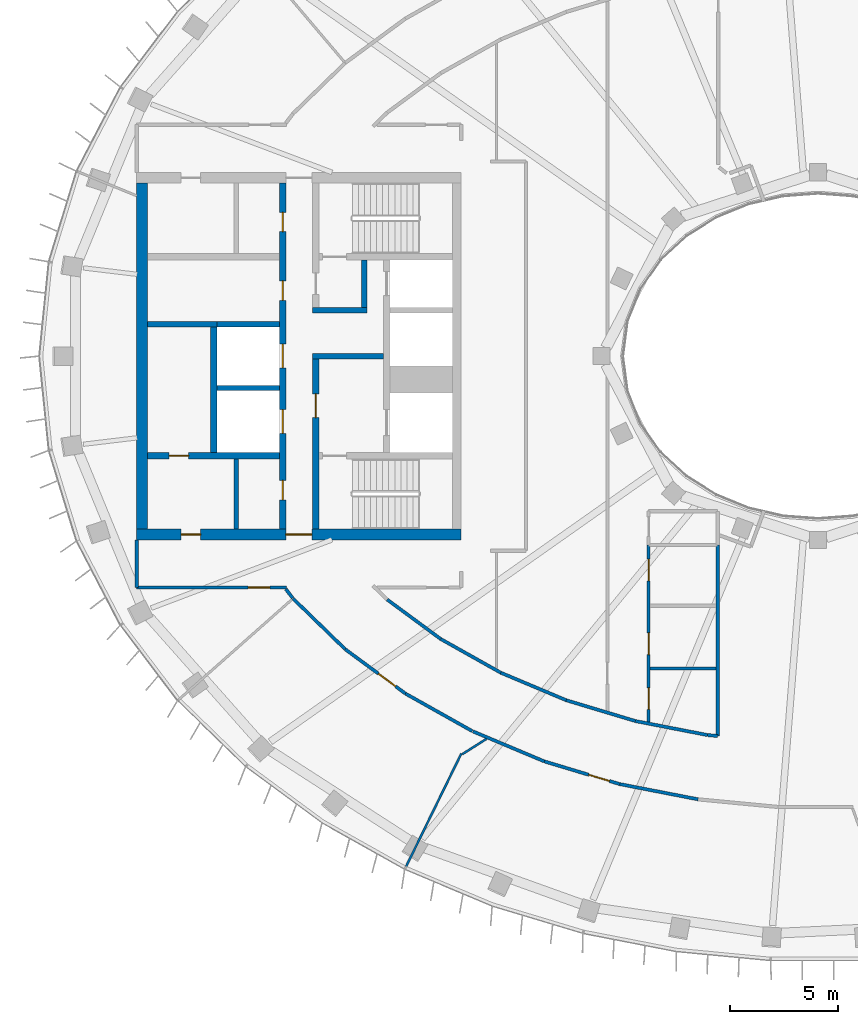
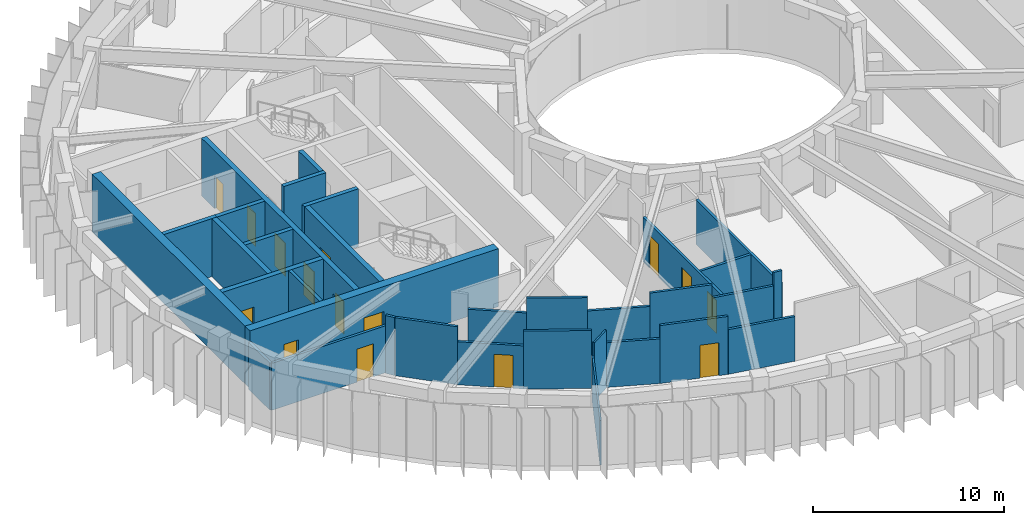
# One storey, part 3 of 13: 33 walls, 15 doors, 15 openings.
"""IFC4 building model written with IfcOpenShell, lengths in metres."""

from ifc_helpers import new_model, si_unit, direction, frame, frame_2d, origin, place, context, subcontext, project, spatial, rectangle, extrude, material, layer, layer_set, type_object, element, fill, save


model = new_model("IFC4")

# Units and contexts
model_context = context("Model", 3, precision=1e-05, world=origin(), true_north=direction((0.0, 1.0)))
body_context = subcontext(model_context, "Body", "Model", "MODEL_VIEW")
ifc_project = project(units=[si_unit("LENGTHUNIT", "METRE"), si_unit("AREAUNIT", "SQUARE_METRE"), si_unit("VOLUMEUNIT", "CUBIC_METRE"), si_unit("PLANEANGLEUNIT", "RADIAN"), si_unit("MASSUNIT", "GRAM", prefix="KILO")], contexts=[model_context])

# Site, building, storey
site_placement = place(None, origin())
site = spatial("IfcSite", under=ifc_project, at=site_placement, CompositionType="ELEMENT")
building_placement = place(site_placement, origin())
building = spatial("IfcBuilding", under=site, at=building_placement, Name="Noorbagh Ring Tower", CompositionType="ELEMENT")
storey_placement = place(building_placement, frame((0.0, 0.0, 327.0)))
storey = spatial("IfcBuildingStorey", under=building, at=storey_placement, Name="L71", CompositionType="ELEMENT", Elevation=327.0)

# Walls
ifc_material_1 = material(Name="Gypsum board on steel studs", Category="steel")
ifc_layer_1 = layer(ifc_material_1, 0.199951171875)
ifc_layer_set_1 = layer_set([ifc_layer_1], Name="Gypsum board on steel studs")
wall_type_1 = type_object("IfcWallType", Name="CORE-PARTITION-200", PredefinedType="PARTITIONING", material=ifc_layer_set_1)
wall_1_placement = place(storey_placement, frame((-26.89990234375, -8.0, 0.0), z_axis=(0.0, 0.0, 1.0), x_axis=(0.0, 1.0, 0.0)))
element("IfcWall", 1, at=wall_1_placement, inside=storey, type_object=wall_type_1, Name="Core partition W", PredefinedType="PARTITIONING", context=body_context, shape_type="SweptSolid", body=[
    extrude(rectangle(XDim=3.25, YDim=0.199951171875, at=frame_2d((1.625, 0.0))), origin(), (0.0, 0.0, 1.0), 3.699951171875),
])
ifc_material_2 = material(Name="Concrete C50/60", Category="concrete")
ifc_layer_2 = layer(ifc_material_2, 0.25)
ifc_layer_set_2 = layer_set([ifc_layer_2], Name="Concrete C50/60")
wall_type_2 = type_object("IfcWallType", Name="CORE-WALL-250-C50-60-EI120", PredefinedType="SHEAR", material=ifc_layer_set_2)
wall_2_placement = place(storey_placement, frame((-27.800048828125, 1.47509765625, 0.0), z_axis=(0.0, 0.0, 1.0), x_axis=(-1.0, 0.0, 0.0)))
element("IfcWall", 2, at=wall_2_placement, inside=storey, type_object=wall_type_2, Name="Core wall W", PredefinedType="SHEAR", context=body_context, shape_type="SweptSolid", body=[
    extrude(rectangle(XDim=3.199951171875, YDim=0.25, at=frame_2d((1.60009765625, 0.0))), origin(), (0.0, 0.0, 1.0), 3.699951171875),
])
for number, where, z_axis, x_axis, name in (
    (3, (-24.89990234375, -1.47509765625, 0.0), (0.0, 0.0, 1.0), (-1.0, 0.0, 0.0), "Core wall W"),
    (4, (-24.89990234375, 1.47509765625, 0.0), (0.0, 0.0, 1.0), (-1.0, 0.0, 0.0), "Core wall W"),
):
    element("IfcWall", number, at=place(storey_placement, frame(where, z_axis=z_axis, x_axis=x_axis)), inside=storey, type_object=wall_type_2, Name=name, PredefinedType="SHEAR", context=body_context, shape_type="SweptSolid", body=[
        extrude(rectangle(XDim=2.900146484375, YDim=0.25, at=frame_2d((1.4501953125, 0.0))), origin(), (0.0, 0.0, 1.0), 3.699951171875),
    ])
ifc_material_3 = material(Name="Concrete C50/60", Category="concrete")
ifc_layer_3 = layer(ifc_material_3, 0.25)
ifc_layer_set_3 = layer_set([ifc_layer_3], Name="Concrete C50/60")
wall_type_3 = type_object("IfcWallType", Name="CORE-WALL-250-C50-60-EI240", PredefinedType="SHEAR", material=ifc_layer_set_3)
wall_3_placement = place(storey_placement, frame((-20.10009765625, 0.0, 0.0), z_axis=(0.0, 0.0, 1.0), x_axis=(-1.0, 0.0, 0.0)))
element("IfcWall", 5, at=wall_3_placement, inside=storey, type_object=wall_type_3, Name="Core wall W", PredefinedType="SHEAR", context=body_context, shape_type="SweptSolid", body=[
    extrude(rectangle(XDim=3.27978515625, YDim=0.25, at=frame_2d((1.639892578125, 0.0))), origin(), (0.0, 0.0, 1.0), 3.699951171875),
])
wall_4_placement = place(storey_placement, frame((-20.85009765625, 2.125, 0.0), z_axis=(0.0, 0.0, 1.0), x_axis=(-1.0, 0.0, 0.0)))
element("IfcWall", 6, at=wall_4_placement, inside=storey, type_object=wall_type_3, Name="Core wall W", PredefinedType="SHEAR", context=body_context, shape_type="SweptSolid", body=[
    extrude(rectangle(XDim=2.52978515625, YDim=0.25, at=frame_2d((1.264892578125, 0.0))), origin(), (0.0, 0.0, 1.0), 3.699951171875),
])
wall_5_placement = place(storey_placement, frame((-20.97509765625, 2.25, 0.0), z_axis=(0.0, 0.0, 1.0), x_axis=(0.0, 1.0, 0.0)))
element("IfcWall", 7, at=wall_5_placement, inside=storey, type_object=wall_type_3, Name="Core wall W", PredefinedType="SHEAR", context=body_context, shape_type="SweptSolid", body=[
    extrude(rectangle(XDim=2.199951171875, YDim=0.25, at=frame_2d((1.10009765625, 0.0))), origin(), (0.0, 0.0, 1.0), 3.699951171875),
])
ifc_material_4 = material(Name="Concrete C50/60", Category="concrete")
ifc_layer_4 = layer(ifc_material_4, 0.300048828125)
ifc_layer_set_4 = layer_set([ifc_layer_4], Name="Concrete C50/60")
wall_type_4 = type_object("IfcWallType", Name="CORE-WALL-300-C50-60-EI120", PredefinedType="SHEAR", material=ifc_layer_set_4)
wall_6_placement = place(storey_placement, frame((-27.949951171875, -4.449951171875, 0.0), z_axis=(0.0, 0.0, 1.0), x_axis=(0.0, 1.0, 0.0)))
element("IfcWall", 8, at=wall_6_placement, inside=storey, type_object=wall_type_4, Name="Core wall W", PredefinedType="SHEAR", context=body_context, shape_type="SweptSolid", body=[
    extrude(rectangle(XDim=5.800048828125, YDim=0.300048828125, at=frame_2d((2.89990234375, 0.0))), origin(), (0.0, 0.0, 1.0), 3.699951171875),
])

# Wall, openings, doors
wall_7_placement = place(storey_placement, frame((-24.75, -8.0, 0.0), z_axis=(0.0, 0.0, 1.0), x_axis=(0.0, 1.0, 0.0)))
wall_7 = element("IfcWall", 9, at=wall_7_placement, inside=storey, type_object=wall_type_4, Name="Core wall W", PredefinedType="SHEAR", context=body_context, shape_type="SweptSolid", body=[
    extrude(rectangle(XDim=16.0, YDim=0.300048828125, at=frame_2d((8.0, 0.0))), origin(), (0.0, 0.0, 1.0), 3.699951171875),
])
opening_1_placement = place(wall_7_placement, frame((4.425048828125, 0.0, 0.0)))
opening_1 = element("IfcOpeningElement", 10, at=opening_1_placement, cuts=wall_7, Name="Opening L71-CW03", PredefinedType="OPENING", context=body_context, shape_type="SweptSolid", body=[
    extrude(rectangle(XDim=1.10009765625, YDim=2.10009765625, at=frame_2d((0.550048828125, 1.050048828125))), frame((0.0, 0.16015625, 0.0), z_axis=(0.0, -1.0, 0.0), x_axis=(1.0, 0.0, 0.0)), (0.0, 0.0, 1.0), 0.320068359375),
])
opening_2_placement = place(wall_7_placement, frame((7.449951171875, 0.0, 0.0)))
opening_2 = element("IfcOpeningElement", 11, at=opening_2_placement, cuts=wall_7, Name="Opening L71-CW04", PredefinedType="OPENING", context=body_context, shape_type="SweptSolid", body=[
    extrude(rectangle(XDim=1.10009765625, YDim=2.10009765625, at=frame_2d((0.550048828125, 1.050048828125))), frame((0.0, 0.16015625, 0.0), z_axis=(0.0, -1.0, 0.0), x_axis=(1.0, 0.0, 0.0)), (0.0, 0.0, 1.0), 0.320068359375),
])
opening_3_placement = place(wall_7_placement, frame((10.574951171875, 0.0, 0.0)))
opening_3 = element("IfcOpeningElement", 12, at=opening_3_placement, cuts=wall_7, Name="Opening L71-CW11", PredefinedType="OPENING", context=body_context, shape_type="SweptSolid", body=[
    extrude(rectangle(XDim=0.89990234375, YDim=2.10009765625, at=frame_2d((0.449951171875, 1.050048828125))), frame((0.0, 0.16015625, 0.0), z_axis=(0.0, -1.0, 0.0), x_axis=(1.0, 0.0, 0.0)), (0.0, 0.0, 1.0), 0.320068359375),
])
opening_4_placement = place(wall_7_placement, frame((13.75, 0.0, 0.0)))
opening_4 = element("IfcOpeningElement", 13, at=opening_4_placement, cuts=wall_7, Name="Opening L71-CW12", PredefinedType="OPENING", context=body_context, shape_type="SweptSolid", body=[
    extrude(rectangle(XDim=0.89990234375, YDim=2.10009765625, at=frame_2d((0.449951171875, 1.050048828125))), frame((0.0, 0.16015625, 0.0), z_axis=(0.0, -1.0, 0.0), x_axis=(1.0, 0.0, 0.0)), (0.0, 0.0, 1.0), 0.320068359375),
])
opening_5_placement = place(wall_7_placement, frame((1.35009765625, 0.0, 0.0)))
opening_5 = element("IfcOpeningElement", 14, at=opening_5_placement, cuts=wall_7, Name="Opening L71-CW14", PredefinedType="OPENING", context=body_context, shape_type="SweptSolid", body=[
    extrude(rectangle(XDim=0.89990234375, YDim=2.10009765625, at=frame_2d((0.449951171875, 1.050048828125))), frame((0.0, 0.16015625, 0.0), z_axis=(0.0, -1.0, 0.0), x_axis=(1.0, 0.0, 0.0)), (0.0, 0.0, 1.0), 0.320068359375),
])
ifc_material_5 = material(Name="Steel door leaf", Category="steel")
door_type_1 = type_object("IfcDoorType", Name="CORE-DOOR-DROOM", OperationType="SINGLE_SWING_LEFT", PredefinedType="DOOR", material=ifc_material_5)
door_1_placement = place(opening_3_placement, origin())
door_1 = element("IfcDoor", 15, at=door_1_placement, inside=storey, type_object=door_type_1, Name="Core room door L71-CW11", OperationType="SINGLE_SWING_RIGHT", OverallHeight=2.10009765625, OverallWidth=0.89990234375, PredefinedType="DOOR", context=body_context, shape_type="SweptSolid", body=[
    extrude(rectangle(XDim=0.89990234375, YDim=2.10009765625, at=frame_2d((0.449951171875, 1.050048828125))), frame((0.0, 0.02490234375, 0.0), z_axis=(0.0, -1.0, 0.0), x_axis=(1.0, 0.0, 0.0)), (0.0, 0.0, 1.0), 0.050048828125),
])
fill(opening_3, door_1)
door_2_placement = place(opening_4_placement, origin())
door_2 = element("IfcDoor", 16, at=door_2_placement, inside=storey, type_object=door_type_1, Name="Core room door L71-CW12", OperationType="SINGLE_SWING_RIGHT", OverallHeight=2.10009765625, OverallWidth=0.89990234375, PredefinedType="DOOR", context=body_context, shape_type="SweptSolid", body=[
    extrude(rectangle(XDim=0.89990234375, YDim=2.10009765625, at=frame_2d((0.449951171875, 1.050048828125))), frame((0.0, 0.02490234375, 0.0), z_axis=(0.0, -1.0, 0.0), x_axis=(1.0, 0.0, 0.0)), (0.0, 0.0, 1.0), 0.050048828125),
])
fill(opening_4, door_2)
door_3_placement = place(opening_5_placement, origin())
door_3 = element("IfcDoor", 17, at=door_3_placement, inside=storey, type_object=door_type_1, Name="Core room door L71-CW14", OperationType="SINGLE_SWING_LEFT", OverallHeight=2.10009765625, OverallWidth=0.89990234375, PredefinedType="DOOR", context=body_context, shape_type="SweptSolid", body=[
    extrude(rectangle(XDim=0.89990234375, YDim=2.10009765625, at=frame_2d((0.449951171875, 1.050048828125))), frame((0.0, 0.02490234375, 0.0), z_axis=(0.0, -1.0, 0.0), x_axis=(1.0, 0.0, 0.0)), (0.0, 0.0, 1.0), 0.050048828125),
])
fill(opening_5, door_3)
ifc_material_6 = material(Name="Steel door leaf", Category="steel")
door_type_2 = type_object("IfcDoorType", Name="CORE-DOOR-LD", OperationType="DOUBLE_DOOR_SLIDING", PredefinedType="DOOR", material=ifc_material_6)
door_4_placement = place(opening_1_placement, origin())
door_4 = element("IfcDoor", 18, at=door_4_placement, inside=storey, type_object=door_type_2, Name="Landing door HR5 L71-CW03", OperationType="DOUBLE_DOOR_SLIDING", OverallHeight=2.10009765625, OverallWidth=1.10009765625, PredefinedType="DOOR", context=body_context, shape_type="SweptSolid", body=[
    extrude(rectangle(XDim=1.10009765625, YDim=2.10009765625, at=frame_2d((0.550048828125, 1.050048828125))), frame((0.0, 0.02490234375, 0.0), z_axis=(0.0, -1.0, 0.0), x_axis=(1.0, 0.0, 0.0)), (0.0, 0.0, 1.0), 0.050048828125),
])
fill(opening_1, door_4)
door_5_placement = place(opening_2_placement, origin())
door_5 = element("IfcDoor", 19, at=door_5_placement, inside=storey, type_object=door_type_2, Name="Landing door HR6 L71-CW04", OperationType="DOUBLE_DOOR_SLIDING", OverallHeight=2.10009765625, OverallWidth=1.10009765625, PredefinedType="DOOR", context=body_context, shape_type="SweptSolid", body=[
    extrude(rectangle(XDim=1.10009765625, YDim=2.10009765625, at=frame_2d((0.550048828125, 1.050048828125))), frame((0.0, 0.02490234375, 0.0), z_axis=(0.0, -1.0, 0.0), x_axis=(1.0, 0.0, 0.0)), (0.0, 0.0, 1.0), 0.050048828125),
])
fill(opening_2, door_5)

# Wall, opening, door
ifc_material_7 = material(Name="Concrete C50/60", Category="concrete")
ifc_layer_5 = layer(ifc_material_7, 0.300048828125)
ifc_layer_set_5 = layer_set([ifc_layer_5], Name="Concrete C50/60")
wall_type_5 = type_object("IfcWallType", Name="CORE-WALL-300-C50-60-EI240", PredefinedType="SHEAR", material=ifc_layer_set_5)
wall_8_placement = place(storey_placement, frame((-24.89990234375, -4.60009765625, 0.0), z_axis=(0.0, 0.0, 1.0), x_axis=(-1.0, 0.0, 0.0)))
wall_8 = element("IfcWall", 20, at=wall_8_placement, inside=storey, type_object=wall_type_5, Name="Core wall W", PredefinedType="SHEAR", context=body_context, shape_type="SweptSolid", body=[
    extrude(rectangle(XDim=6.10009765625, YDim=0.300048828125, at=frame_2d((3.050048828125, 0.0))), origin(), (0.0, 0.0, 1.0), 3.699951171875),
])
opening_6_placement = place(wall_8_placement, frame((4.199951171875, 0.0, 0.0)))
opening_6 = element("IfcOpeningElement", 21, at=opening_6_placement, cuts=wall_8, Name="Opening L71-CW16", PredefinedType="OPENING", context=body_context, shape_type="SweptSolid", body=[
    extrude(rectangle(XDim=0.89990234375, YDim=2.10009765625, at=frame_2d((0.449951171875, 1.050048828125))), frame((0.0, 0.16015625, 0.0), z_axis=(0.0, -1.0, 0.0), x_axis=(1.0, 0.0, 0.0)), (0.0, 0.0, 1.0), 0.320068359375),
])
door_6_placement = place(opening_6_placement, origin())
door_6 = element("IfcDoor", 22, at=door_6_placement, inside=storey, type_object=door_type_1, Name="Core room door L71-CW16", OperationType="SINGLE_SWING_RIGHT", OverallHeight=2.10009765625, OverallWidth=0.89990234375, PredefinedType="DOOR", context=body_context, shape_type="SweptSolid", body=[
    extrude(rectangle(XDim=0.89990234375, YDim=2.10009765625, at=frame_2d((0.449951171875, 1.050048828125))), frame((0.0, 0.02490234375, 0.0), z_axis=(0.0, -1.0, 0.0), x_axis=(1.0, 0.0, 0.0)), (0.0, 0.0, 1.0), 0.050048828125),
])
fill(opening_6, door_6)

wall_9_placement = place(storey_placement, frame((-23.22998046875, -8.0, 0.0), z_axis=(0.0, 0.0, 1.0), x_axis=(0.0, 1.0, 0.0)))
wall_9 = element("IfcWall", 23, at=wall_9_placement, inside=storey, type_object=wall_type_5, Name="Core wall W", PredefinedType="SHEAR", context=body_context, shape_type="SweptSolid", body=[
    extrude(rectangle(XDim=7.875, YDim=0.300048828125, at=frame_2d((3.9375, 0.0))), origin(), (0.0, 0.0, 1.0), 3.699951171875),
])
opening_7_placement = place(wall_9_placement, frame((5.14990234375, 0.0, 0.0)))
opening_7 = element("IfcOpeningElement", 24, at=opening_7_placement, cuts=wall_9, Name="Opening L71-CW07", PredefinedType="OPENING", context=body_context, shape_type="SweptSolid", body=[
    extrude(rectangle(XDim=1.10009765625, YDim=2.10009765625, at=frame_2d((0.550048828125, 1.050048828125))), frame((0.0, 0.16015625, 0.0), z_axis=(0.0, -1.0, 0.0), x_axis=(1.0, 0.0, 0.0)), (0.0, 0.0, 1.0), 0.320068359375),
])
ifc_material_8 = material(Name="Steel door leaf", Category="steel")
door_type_3 = type_object("IfcDoorType", Name="CORE-DOOR-DFF", OperationType="SINGLE_SWING_LEFT", PredefinedType="DOOR", material=ifc_material_8)
door_7_placement = place(opening_7_placement, origin())
door_7 = element("IfcDoor", 25, at=door_7_placement, inside=storey, type_object=door_type_3, Name="Firefighting lobby door L71-CW07", OperationType="SINGLE_SWING_LEFT", OverallHeight=2.10009765625, OverallWidth=1.10009765625, PredefinedType="DOOR", context=body_context, shape_type="SweptSolid", body=[
    extrude(rectangle(XDim=1.10009765625, YDim=2.10009765625, at=frame_2d((0.550048828125, 1.050048828125))), frame((0.0, 0.02490234375, 0.0), z_axis=(0.0, -1.0, 0.0), x_axis=(1.0, 0.0, 0.0)), (0.0, 0.0, 1.0), 0.050048828125),
])
fill(opening_7, door_7)

# Wall, openings, doors
ifc_material_9 = material(Name="Concrete C50/60", Category="concrete")
ifc_layer_6 = layer(ifc_material_9, 0.5)
ifc_layer_set_6 = layer_set([ifc_layer_6], Name="Concrete C50/60")
wall_type_6 = type_object("IfcWallType", Name="CORE-WALL-500-C50-60-EI240", PredefinedType="SHEAR", material=ifc_layer_set_6)
wall_10_placement = place(storey_placement, frame((-16.5, -8.25, 0.0), z_axis=(0.0, 0.0, 1.0), x_axis=(-1.0, 0.0, 0.0)))
wall_10 = element("IfcWall", 26, at=wall_10_placement, inside=storey, type_object=wall_type_6, Name="Core wall W", PredefinedType="SHEAR", context=body_context, shape_type="SweptSolid", body=[
    extrude(rectangle(XDim=15.0, YDim=0.5, at=frame_2d((7.5, 0.0))), origin(), (0.0, 0.0, 1.0), 3.699951171875),
])
opening_8_placement = place(wall_10_placement, frame((6.89990234375, 0.0, 0.0)))
opening_8 = element("IfcOpeningElement", 27, at=opening_8_placement, cuts=wall_10, Name="Opening L71-CW10", PredefinedType="OPENING", context=body_context, shape_type="SweptSolid", body=[
    extrude(rectangle(XDim=1.199951171875, YDim=2.10009765625, at=frame_2d((0.60009765625, 1.050048828125))), frame((0.0, 0.260009765625, 0.0), z_axis=(0.0, -1.0, 0.0), x_axis=(1.0, 0.0, 0.0)), (0.0, 0.0, 1.0), 0.52001953125),
])
opening_9_placement = place(wall_10_placement, frame((12.050048828125, 0.0, 0.0)))
opening_9 = element("IfcOpeningElement", 28, at=opening_9_placement, cuts=wall_10, Name="Opening L71-CW15", PredefinedType="OPENING", context=body_context, shape_type="SweptSolid", body=[
    extrude(rectangle(XDim=0.89990234375, YDim=2.10009765625, at=frame_2d((0.449951171875, 1.050048828125))), frame((0.0, 0.260009765625, 0.0), z_axis=(0.0, -1.0, 0.0), x_axis=(1.0, 0.0, 0.0)), (0.0, 0.0, 1.0), 0.52001953125),
])
door_8_placement = place(opening_9_placement, origin())
door_8 = element("IfcDoor", 29, at=door_8_placement, inside=storey, type_object=door_type_1, Name="Core room door L71-CW15", OperationType="SINGLE_SWING_LEFT", OverallHeight=2.10009765625, OverallWidth=0.89990234375, PredefinedType="DOOR", context=body_context, shape_type="SweptSolid", body=[
    extrude(rectangle(XDim=0.89990234375, YDim=2.10009765625, at=frame_2d((0.449951171875, 1.050048828125))), frame((0.0, 0.02490234375, 0.0), z_axis=(0.0, -1.0, 0.0), x_axis=(1.0, 0.0, 0.0)), (0.0, 0.0, 1.0), 0.050048828125),
])
fill(opening_9, door_8)
ifc_material_10 = material(Name="Steel door leaf", Category="steel")
door_type_4 = type_object("IfcDoorType", Name="CORE-DOOR-PORT", OperationType="DOUBLE_DOOR_DOUBLE_SWING", PredefinedType="DOOR", material=ifc_material_10)
door_9_placement = place(opening_8_placement, origin())
door_9 = element("IfcDoor", 30, at=door_9_placement, inside=storey, type_object=door_type_4, Name="Core entrance door L71-CW10", OperationType="DOUBLE_DOOR_DOUBLE_SWING", OverallHeight=2.10009765625, OverallWidth=1.199951171875, PredefinedType="DOOR", context=body_context, shape_type="SweptSolid", body=[
    extrude(rectangle(XDim=1.199951171875, YDim=2.10009765625, at=frame_2d((0.60009765625, 1.050048828125))), frame((0.0, 0.02490234375, 0.0), z_axis=(0.0, -1.0, 0.0), x_axis=(1.0, 0.0, 0.0)), (0.0, 0.0, 1.0), 0.050048828125),
])
fill(opening_8, door_9)

# Walls
wall_11_placement = place(storey_placement, frame((-31.25, -8.0, 0.0), z_axis=(0.0, 0.0, 1.0), x_axis=(0.0, 1.0, 0.0)))
element("IfcWall", 31, at=wall_11_placement, inside=storey, type_object=wall_type_6, Name="Core wall W", PredefinedType="SHEAR", context=body_context, shape_type="SweptSolid", body=[
    extrude(rectangle(XDim=16.0, YDim=0.5, at=frame_2d((8.0, 0.0))), origin(), (0.0, 0.0, 1.0), 3.699951171875),
])
ifc_material_11 = material(Name="Gypsum board on steel studs", Category="steel")
ifc_layer_7 = layer(ifc_material_11, 0.14990234375)
ifc_layer_set_7 = layer_set([ifc_layer_7], Name="Gypsum board on steel studs")
wall_type_7 = type_object("IfcWallType", Name="CORRIDOR PARTITION 150 EI 30", PredefinedType="PARTITIONING", material=ifc_layer_set_7)
wall_12_placement = place(storey_placement, frame((-31.5, -10.699951171875, 0.0), z_axis=(0.0, 0.0, 1.0), x_axis=(0.0, 1.0, 0.0)))
element("IfcWall", 32, at=wall_12_placement, inside=storey, type_object=wall_type_7, Name="L71/wall/P02", PredefinedType="PARTITIONING", context=body_context, shape_type="SweptSolid", body=[
    extrude(rectangle(XDim=2.199951171875, YDim=0.14990234375, at=frame_2d((1.10009765625, 0.0))), origin(), (0.0, 0.0, 1.0), 3.0),
])

# Wall, opening, door
wall_13_placement = place(storey_placement, frame((-31.5, -10.699951171875, 0.0), z_axis=(0.0, 0.0, 1.0), x_axis=(1.0, 0.0, 0.0)))
wall_13 = element("IfcWall", 33, at=wall_13_placement, inside=storey, type_object=wall_type_7, Name="L71/wall/P03", PredefinedType="PARTITIONING", context=body_context, shape_type="SweptSolid", body=[
    extrude(rectangle(XDim=6.93310546875, YDim=0.14990234375, at=frame_2d((3.466552734375, 0.0))), origin(), (0.0, 0.0, 1.0), 3.0),
])
opening_10_placement = place(wall_13_placement, frame((5.14990234375, 0.0, 0.0)))
opening_10 = element("IfcOpeningElement", 34, at=opening_10_placement, cuts=wall_13, Name="Opening D1", PredefinedType="OPENING", context=body_context, shape_type="SweptSolid", body=[
    extrude(rectangle(XDim=1.0, YDim=2.10009765625, at=frame_2d((0.5, 1.050048828125))), frame((0.0, 0.0849609375, 0.0), z_axis=(0.0, -1.0, 0.0), x_axis=(1.0, 0.0, 0.0)), (0.0, 0.0, 1.0), 0.169921875),
])
ifc_material_12 = material(Name="Timber, painted", Category="wood")
door_type_5 = type_object("IfcDoorType", Name="DOOR 1000 X 2100 FD30", OperationType="SINGLE_SWING_LEFT", PredefinedType="DOOR", material=ifc_material_12)
door_10_placement = place(opening_10_placement, origin())
door_10 = element("IfcDoor", 35, at=door_10_placement, inside=storey, type_object=door_type_5, Name="L71-D06", OperationType="SINGLE_SWING_RIGHT", OverallHeight=2.10009765625, OverallWidth=1.0, PredefinedType="DOOR", context=body_context, shape_type="SweptSolid", body=[
    extrude(rectangle(XDim=1.0, YDim=2.10009765625, at=frame_2d((0.5, 1.050048828125))), frame((0.0, 0.02490234375, 0.0), z_axis=(0.0, -1.0, 0.0), x_axis=(1.0, 0.0, 0.0)), (0.0, 0.0, 1.0), 0.050048828125),
])
fill(opening_10, door_10)

# Walls
wall_14_placement = place(storey_placement, frame((-24.60400390625, -10.77490234375, 0.0), z_axis=(0.0, 0.0, 1.0), x_axis=(0.603625762935, -0.797267795864, 0.0)))
element("IfcWall", 36, at=wall_14_placement, inside=storey, type_object=wall_type_7, Name="L71/wall/P08", PredefinedType="PARTITIONING", context=body_context, shape_type="SweptSolid", body=[
    extrude(rectangle(XDim=0.527099609375, YDim=0.14990234375, at=frame_2d((0.263671875, 0.0))), origin(), (0.0, 0.0, 1.0), 3.699951171875),
])
wall_15_placement = place(storey_placement, frame((-24.27392578125, -11.2109375, 0.0), z_axis=(0.0, 0.0, 1.0), x_axis=(0.71712899883, -0.696940455876, 0.0)))
element("IfcWall", 37, at=wall_15_placement, inside=storey, type_object=wall_type_7, Name="L71/wall/P10", PredefinedType="PARTITIONING", context=body_context, shape_type="SweptSolid", body=[
    extrude(rectangle(XDim=3.36181640625, YDim=0.14990234375, at=frame_2d((1.680908203125, 0.0))), origin(), (0.0, 0.0, 1.0), 3.699951171875),
])

# Wall, opening, door
wall_16_placement = place(storey_placement, frame((-21.863037109375, -13.553955078125, 0.0), z_axis=(0.0, 0.0, 1.0), x_axis=(0.805248975221, -0.59293683298, 0.0)))
wall_16 = element("IfcWall", 38, at=wall_16_placement, inside=storey, type_object=wall_type_7, Name="L71/wall/P12", PredefinedType="PARTITIONING", context=body_context, shape_type="SweptSolid", body=[
    extrude(rectangle(XDim=3.46240234375, YDim=0.14990234375, at=frame_2d((1.731201171875, 0.0))), origin(), (0.0, 0.0, 1.0), 2.75),
])
opening_11_placement = place(wall_16_placement, frame((1.89990234375, 0.0, 0.0)))
opening_11 = element("IfcOpeningElement", 39, at=opening_11_placement, cuts=wall_16, Name="Opening D1", PredefinedType="OPENING", context=body_context, shape_type="SweptSolid", body=[
    extrude(rectangle(XDim=1.0, YDim=2.10009765625, at=frame_2d((0.5, 1.050048828125))), frame((0.0, 0.0849609375, 0.0), z_axis=(0.0, -1.0, 0.0), x_axis=(1.0, 0.0, 0.0)), (0.0, 0.0, 1.0), 0.169921875),
])
door_11_placement = place(opening_11_placement, origin())
door_11 = element("IfcDoor", 40, at=door_11_placement, inside=storey, type_object=door_type_5, Name="L71-D08", OperationType="SINGLE_SWING_RIGHT", OverallHeight=2.10009765625, OverallWidth=1.0, PredefinedType="DOOR", context=body_context, shape_type="SweptSolid", body=[
    extrude(rectangle(XDim=1.0, YDim=2.10009765625, at=frame_2d((0.5, 1.050048828125))), frame((0.0, 0.02490234375, 0.0), z_axis=(0.0, -1.0, 0.0), x_axis=(1.0, 0.0, 0.0)), (0.0, 0.0, 1.0), 0.050048828125),
])
fill(opening_11, door_11)

# Walls
wall_17_placement = place(storey_placement, frame((-19.9189453125, -11.260009765625, 0.0), z_axis=(0.0, 0.0, 1.0), x_axis=(0.805185638843, -0.593022838516, 0.0)))
element("IfcWall", 41, at=wall_17_placement, inside=storey, type_object=wall_type_7, Name="L71/wall/P18", PredefinedType="PARTITIONING", context=body_context, shape_type="SweptSolid", body=[
    extrude(rectangle(XDim=3.072509765625, YDim=0.14990234375, at=frame_2d((1.5361328125, 0.0))), origin(), (0.0, 0.0, 1.0), 2.75),
])
wall_18_placement = place(storey_placement, frame((-19.074951171875, -15.60693359375, 0.0), z_axis=(0.0, 0.0, 1.0), x_axis=(0.871928573965, -0.489633089062, 0.0)))
element("IfcWall", 42, at=wall_18_placement, inside=storey, type_object=wall_type_7, Name="L71/wall/P20", PredefinedType="PARTITIONING", context=body_context, shape_type="SweptSolid", body=[
    extrude(rectangle(XDim=3.543701171875, YDim=0.14990234375, at=frame_2d((1.77197265625, 0.0))), origin(), (0.0, 0.0, 1.0), 3.699951171875),
])
wall_19_placement = place(storey_placement, frame((-17.445068359375, -13.08203125, 0.0), z_axis=(0.0, 0.0, 1.0), x_axis=(0.872072095629, -0.489377420837, 0.0)))
element("IfcWall", 43, at=wall_19_placement, inside=storey, type_object=wall_type_7, Name="L71/wall/P23", PredefinedType="PARTITIONING", context=body_context, shape_type="SweptSolid", body=[
    extrude(rectangle(XDim=3.187744140625, YDim=0.14990234375, at=frame_2d((1.59375, 0.0))), origin(), (0.0, 0.0, 1.0), 3.699951171875),
])
wall_20_placement = place(storey_placement, frame((-15.9560546875, -17.35400390625, 0.0), z_axis=(0.0, 0.0, 1.0), x_axis=(0.921862645915, -0.387516789401, 0.0)))
element("IfcWall", 44, at=wall_20_placement, inside=storey, type_object=wall_type_7, Name="L71/wall/P29", PredefinedType="PARTITIONING", context=body_context, shape_type="SweptSolid", body=[
    extrude(rectangle(XDim=3.57666015625, YDim=0.14990234375, at=frame_2d((1.788330078125, 0.0))), origin(), (0.0, 0.0, 1.0), 2.85009765625),
])
wall_21_placement = place(storey_placement, frame((-14.6650390625, -14.64208984375, 0.0), z_axis=(0.0, 0.0, 1.0), x_axis=(0.921789499058, -0.38769075231, 0.0)))
element("IfcWall", 45, at=wall_21_placement, inside=storey, type_object=wall_type_7, Name="L71/wall/P35", PredefinedType="PARTITIONING", context=body_context, shape_type="SweptSolid", body=[
    extrude(rectangle(XDim=3.2783203125, YDim=0.14990234375, at=frame_2d((1.63916015625, 0.0))), origin(), (0.0, 0.0, 1.0), 2.85009765625),
])

# Wall, opening, door
wall_22_placement = place(storey_placement, frame((-12.658935546875, -18.739990234375, 0.0), z_axis=(0.0, 0.0, 1.0), x_axis=(0.957557315887, -0.288242930166, 0.0)))
wall_22 = element("IfcWall", 46, at=wall_22_placement, inside=storey, type_object=wall_type_7, Name="L71/wall/P39", PredefinedType="PARTITIONING", context=body_context, shape_type="SweptSolid", body=[
    extrude(rectangle(XDim=3.653076171875, YDim=0.14990234375, at=frame_2d((1.82666015625, 0.0))), origin(), (0.0, 0.0, 1.0), 3.699951171875),
])
opening_12_placement = place(wall_22_placement, frame((2.14990234375, 0.0, 0.0)))
opening_12 = element("IfcOpeningElement", 47, at=opening_12_placement, cuts=wall_22, Name="Opening D1", PredefinedType="OPENING", context=body_context, shape_type="SweptSolid", body=[
    extrude(rectangle(XDim=1.0, YDim=2.10009765625, at=frame_2d((0.5, 1.050048828125))), frame((0.0, 0.0849609375, 0.0), z_axis=(0.0, -1.0, 0.0), x_axis=(1.0, 0.0, 0.0)), (0.0, 0.0, 1.0), 0.169921875),
])
door_12_placement = place(opening_12_placement, origin())
door_12 = element("IfcDoor", 48, at=door_12_placement, inside=storey, type_object=door_type_5, Name="L71-D10", OperationType="SINGLE_SWING_RIGHT", OverallHeight=2.10009765625, OverallWidth=1.0, PredefinedType="DOOR", context=body_context, shape_type="SweptSolid", body=[
    extrude(rectangle(XDim=1.0, YDim=2.10009765625, at=frame_2d((0.5, 1.050048828125))), frame((0.0, 0.02490234375, 0.0), z_axis=(0.0, -1.0, 0.0), x_axis=(1.0, 0.0, 0.0)), (0.0, 0.0, 1.0), 0.050048828125),
])
fill(opening_12, door_12)

# Walls
wall_23_placement = place(storey_placement, frame((-11.64306640625, -15.9130859375, 0.0), z_axis=(0.0, 0.0, 1.0), x_axis=(0.957584891346, -0.288151307243, 0.0)))
element("IfcWall", 49, at=wall_23_placement, inside=storey, type_object=wall_type_7, Name="L71/wall/P41", PredefinedType="PARTITIONING", context=body_context, shape_type="SweptSolid", body=[
    extrude(rectangle(XDim=3.344970703125, YDim=0.14990234375, at=frame_2d((1.67236328125, 0.0))), origin(), (0.0, 0.0, 1.0), 3.699951171875),
])
wall_24_placement = place(storey_placement, frame((-9.160888671875, -19.79296875, 0.0), z_axis=(0.0, 0.0, 1.0), x_axis=(0.981633657006, -0.19077568879, 0.0)))
element("IfcWall", 50, at=wall_24_placement, inside=storey, type_object=wall_type_7, Name="L71/wall/P44", PredefinedType="PARTITIONING", context=body_context, shape_type="SweptSolid", body=[
    extrude(rectangle(XDim=3.685546875, YDim=0.14990234375, at=frame_2d((1.8427734375, 0.0))), origin(), (0.0, 0.0, 1.0), 2.85009765625),
])
wall_25_placement = place(storey_placement, frame((-8.43994140625, -16.876953125, 0.0), z_axis=(0.0, 0.0, 1.0), x_axis=(0.981665220565, -0.190613207134, 0.0)))
element("IfcWall", 51, at=wall_25_placement, inside=storey, type_object=wall_type_7, Name="L71/wall/P46", PredefinedType="PARTITIONING", context=body_context, shape_type="SweptSolid", body=[
    extrude(rectangle(XDim=3.38916015625, YDim=0.14990234375, at=frame_2d((1.694580078125, 0.0))), origin(), (0.0, 0.0, 1.0), 2.85009765625),
])

# Wall, openings, doors
wall_26_placement = place(storey_placement, frame((-7.8349609375, -16.9140625, 0.0), z_axis=(0.0, 0.0, 1.0), x_axis=(0.0, 1.0, 0.0)))
wall_26 = element("IfcWall", 52, at=wall_26_placement, inside=storey, type_object=wall_type_7, Name="L71/wall/P48", PredefinedType="PARTITIONING", context=body_context, shape_type="SweptSolid", body=[
    extrude(rectangle(XDim=8.18310546875, YDim=0.14990234375, at=frame_2d((4.091552734375, 0.0))), origin(), (0.0, 0.0, 1.0), 2.85009765625),
])
opening_13_placement = place(wall_26_placement, frame((0.573974609375, 0.0, 0.0)))
opening_13 = element("IfcOpeningElement", 53, at=opening_13_placement, cuts=wall_26, Name="Opening D3", PredefinedType="OPENING", context=body_context, shape_type="SweptSolid", body=[
    extrude(rectangle(XDim=1.0, YDim=2.10009765625, at=frame_2d((0.5, 1.050048828125))), frame((0.0, 0.0849609375, 0.0), z_axis=(0.0, -1.0, 0.0), x_axis=(1.0, 0.0, 0.0)), (0.0, 0.0, 1.0), 0.169921875),
])
opening_14_placement = place(wall_26_placement, frame((3.113037109375, 0.0, 0.0)))
opening_14 = element("IfcOpeningElement", 54, at=opening_14_placement, cuts=wall_26, Name="Opening D3", PredefinedType="OPENING", context=body_context, shape_type="SweptSolid", body=[
    extrude(rectangle(XDim=1.0, YDim=2.10009765625, at=frame_2d((0.5, 1.050048828125))), frame((0.0, 0.0849609375, 0.0), z_axis=(0.0, -1.0, 0.0), x_axis=(1.0, 0.0, 0.0)), (0.0, 0.0, 1.0), 0.169921875),
])
opening_15_placement = place(wall_26_placement, frame((6.52490234375, 0.0, 0.0)))
opening_15 = element("IfcOpeningElement", 55, at=opening_15_placement, cuts=wall_26, Name="Opening D3", PredefinedType="OPENING", context=body_context, shape_type="SweptSolid", body=[
    extrude(rectangle(XDim=1.0, YDim=2.10009765625, at=frame_2d((0.5, 1.050048828125))), frame((0.0, 0.0849609375, 0.0), z_axis=(0.0, -1.0, 0.0), x_axis=(1.0, 0.0, 0.0)), (0.0, 0.0, 1.0), 0.169921875),
])
ifc_material_13 = material(Name="Timber, painted", Category="wood")
door_type_6 = type_object("IfcDoorType", Name="DOOR 1000 X 2100 WC", OperationType="SINGLE_SWING_LEFT", PredefinedType="DOOR", material=ifc_material_13)
door_13_placement = place(opening_13_placement, origin())
door_13 = element("IfcDoor", 56, at=door_13_placement, inside=storey, type_object=door_type_6, Name="L71-D02", OperationType="SINGLE_SWING_RIGHT", OverallHeight=2.10009765625, OverallWidth=1.0, PredefinedType="DOOR", context=body_context, shape_type="SweptSolid", body=[
    extrude(rectangle(XDim=1.0, YDim=2.10009765625, at=frame_2d((0.5, 1.050048828125))), frame((0.0, 0.02490234375, 0.0), z_axis=(0.0, -1.0, 0.0), x_axis=(1.0, 0.0, 0.0)), (0.0, 0.0, 1.0), 0.050048828125),
])
fill(opening_13, door_13)
door_14_placement = place(opening_14_placement, origin())
door_14 = element("IfcDoor", 57, at=door_14_placement, inside=storey, type_object=door_type_6, Name="L71-D03", OperationType="SINGLE_SWING_LEFT", OverallHeight=2.10009765625, OverallWidth=1.0, PredefinedType="DOOR", context=body_context, shape_type="SweptSolid", body=[
    extrude(rectangle(XDim=1.0, YDim=2.10009765625, at=frame_2d((0.5, 1.050048828125))), frame((0.0, 0.02490234375, 0.0), z_axis=(0.0, -1.0, 0.0), x_axis=(1.0, 0.0, 0.0)), (0.0, 0.0, 1.0), 0.050048828125),
])
fill(opening_14, door_14)
door_15_placement = place(opening_15_placement, origin())
door_15 = element("IfcDoor", 58, at=door_15_placement, inside=storey, type_object=door_type_6, Name="L71-D04", OperationType="SINGLE_SWING_RIGHT", OverallHeight=2.10009765625, OverallWidth=1.0, PredefinedType="DOOR", context=body_context, shape_type="SweptSolid", body=[
    extrude(rectangle(XDim=1.0, YDim=2.10009765625, at=frame_2d((0.5, 1.050048828125))), frame((0.0, 0.02490234375, 0.0), z_axis=(0.0, -1.0, 0.0), x_axis=(1.0, 0.0, 0.0)), (0.0, 0.0, 1.0), 0.050048828125),
])
fill(opening_15, door_15)

# Walls
wall_27_placement = place(storey_placement, frame((-7.760009765625, -14.450927734375, 0.0), z_axis=(0.0, 0.0, 1.0), x_axis=(1.0, 0.0, 0.0)))
element("IfcWall", 59, at=wall_27_placement, inside=storey, type_object=wall_type_7, Name="L71/wall/P49", PredefinedType="PARTITIONING", context=body_context, shape_type="SweptSolid", body=[
    extrude(rectangle(XDim=3.050048828125, YDim=0.14990234375, at=frame_2d((1.52490234375, 0.0))), origin(), (0.0, 0.0, 1.0), 2.85009765625),
])
wall_28_placement = place(storey_placement, frame((-5.113037109375, -17.52294921875, 0.0), z_axis=(0.0, 0.0, 1.0), x_axis=(0.995373567544, -0.096080492475, 0.0)))
element("IfcWall", 60, at=wall_28_placement, inside=storey, type_object=wall_type_7, Name="L71/wall/P56", PredefinedType="PARTITIONING", context=body_context, shape_type="SweptSolid", body=[
    extrude(rectangle(XDim=0.480224609375, YDim=0.14990234375, at=frame_2d((0.240234375, 0.0))), origin(), (0.0, 0.0, 1.0), 3.699951171875),
])
wall_29_placement = place(storey_placement, frame((-4.635009765625, -17.56494140625, 0.0), z_axis=(0.0, 0.0, 1.0), x_axis=(0.0, 1.0, 0.0)))
element("IfcWall", 61, at=wall_29_placement, inside=storey, type_object=wall_type_7, Name="L71/wall/P58", PredefinedType="PARTITIONING", context=body_context, shape_type="SweptSolid", body=[
    extrude(rectangle(XDim=8.833984375, YDim=0.14990234375, at=frame_2d((4.4169921875, 0.0))), origin(), (0.0, 0.0, 1.0), 2.85009765625),
])
ifc_material_14 = material(Name="Gypsum board on steel studs", Category="steel")
ifc_layer_8 = layer(ifc_material_14, 0.10009765625)
ifc_layer_set_8 = layer_set([ifc_layer_8], Name="Gypsum board on steel studs")
wall_type_8 = type_object("IfcWallType", Name="PARTITION 100 GYPSUM", PredefinedType="PARTITIONING", material=ifc_layer_set_8)
wall_30_placement = place(storey_placement, frame((-19.0859375, -23.68505859375, 0.0), z_axis=(0.0, 0.0, 1.0), x_axis=(0.439196051017, 0.898391244821, 0.0)))
element("IfcWall", 62, at=wall_30_placement, inside=storey, type_object=wall_type_8, Name="L71/wall/P22", PredefinedType="PARTITIONING", context=body_context, shape_type="SweptSolid", body=[
    extrude(rectangle(XDim=5.908447265625, YDim=0.10009765625, at=frame_2d((2.9541015625, 0.0))), origin(), (0.0, 0.0, 1.0), 2.85009765625),
])
wall_31_placement = place(storey_placement, frame((-16.451904296875, -18.412109375, 0.0), z_axis=(0.0, 0.0, 1.0), x_axis=(0.844583589396, 0.535423720546, 0.0)))
element("IfcWall", 63, at=wall_31_placement, inside=storey, type_object=wall_type_8, Name="L71/wall/P25", PredefinedType="PARTITIONING", context=body_context, shape_type="SweptSolid", body=[
    extrude(rectangle(XDim=1.328369140625, YDim=0.10009765625, at=frame_2d((0.6640625, 0.0))), origin(), (0.0, 0.0, 1.0), 3.699951171875),
])

save(model, "model.ifc")
